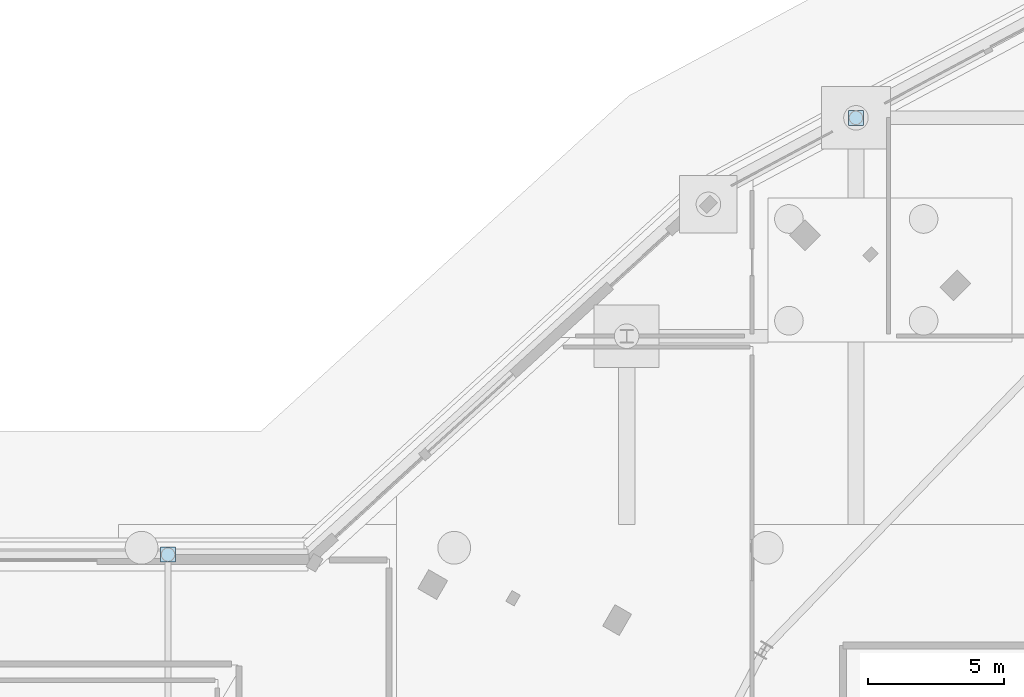
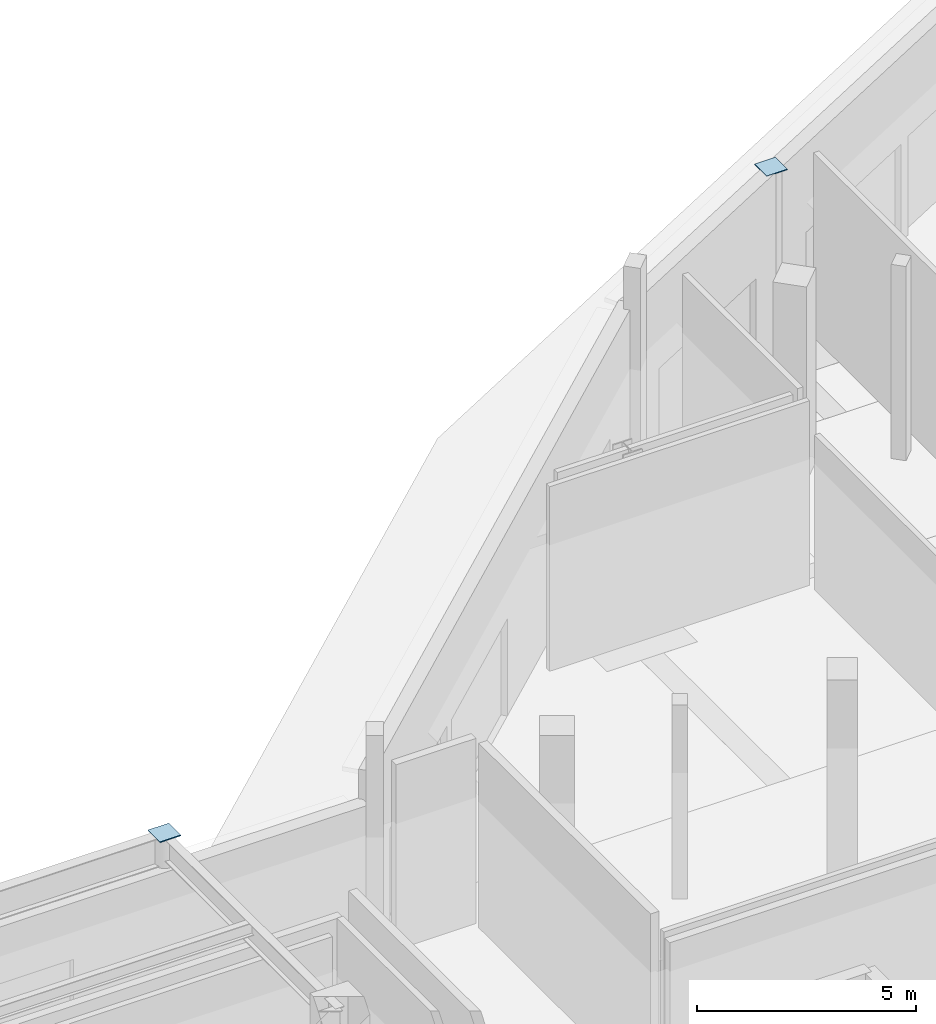
# One storey, part 45 of 93: 2 plates.
"""IFC4 building model written with IfcOpenShell, lengths in metres."""

from ifc_helpers import new_model, si_unit, direction, frame, origin, origin_2d, place, context, subcontext, project, spatial, rectangle, extrude, material, layer, layer_set, type_object, element, save


model = new_model("IFC4")

# Units and contexts
model_context = context("Model", 3, precision=1e-05, world=origin(), true_north=direction((0.0, 1.0)))
body_context = subcontext(model_context, "Body", "Model", "MODEL_VIEW")
ifc_project = project(units=[si_unit("LENGTHUNIT", "METRE"), si_unit("AREAUNIT", "SQUARE_METRE"), si_unit("VOLUMEUNIT", "CUBIC_METRE"), si_unit("PLANEANGLEUNIT", "RADIAN"), si_unit("MASSUNIT", "GRAM", prefix="KILO")], contexts=[model_context])

# Site, building, storey
site_placement = place(None, origin())
site = spatial("IfcSite", under=ifc_project, at=site_placement, CompositionType="ELEMENT")
building_placement = place(site_placement, origin())
building = spatial("IfcBuilding", under=site, at=building_placement, Name="Kalgoora Escarpment Arena", CompositionType="ELEMENT")
storey_placement = place(building_placement, origin())
storey = spatial("IfcBuildingStorey", under=building, at=storey_placement, Name="L00", CompositionType="ELEMENT", Elevation=0.0)

# Plates
ifc_material = material(Name="Structural steel Grade 350 (350 MPa)", Category="steel")
ifc_layer = layer(ifc_material, 0.02490234375)
ifc_layer_set = layer_set([ifc_layer], Name="PLT-CAP-508")
plate_type = type_object("IfcPlateType", Name="PLT-CAP-508", PredefinedType="USERDEFINED", material=ifc_layer_set)
for number, where, z_axis, x_axis, name in (
    (1, (8.39990234375, 96.0, 5.125), (0.0, 0.0, 1.0), (1.0, 0.0, 0.0), "COL-G2-N-L00 end cap plate"),
    (2, (33.60009765625, 112.0, 5.125), (0.0, 0.0, 1.0), (1.0, 0.0, 0.0), "COL-G5-Q-L00 end cap plate"),
):
    element("IfcPlate", number, at=place(storey_placement, frame(where, z_axis=z_axis, x_axis=x_axis)), inside=storey, type_object=plate_type, Name=name, ObjectType="FLANGE PLATE", PredefinedType="USERDEFINED", context=body_context, shape_type="SweptSolid", body=[
        extrude(rectangle(XDim=0.548095703125, YDim=0.548095703125, at=origin_2d()), origin(), (0.0, 0.0, 1.0), 0.02490234375),
    ])

save(model, "model.ifc")
